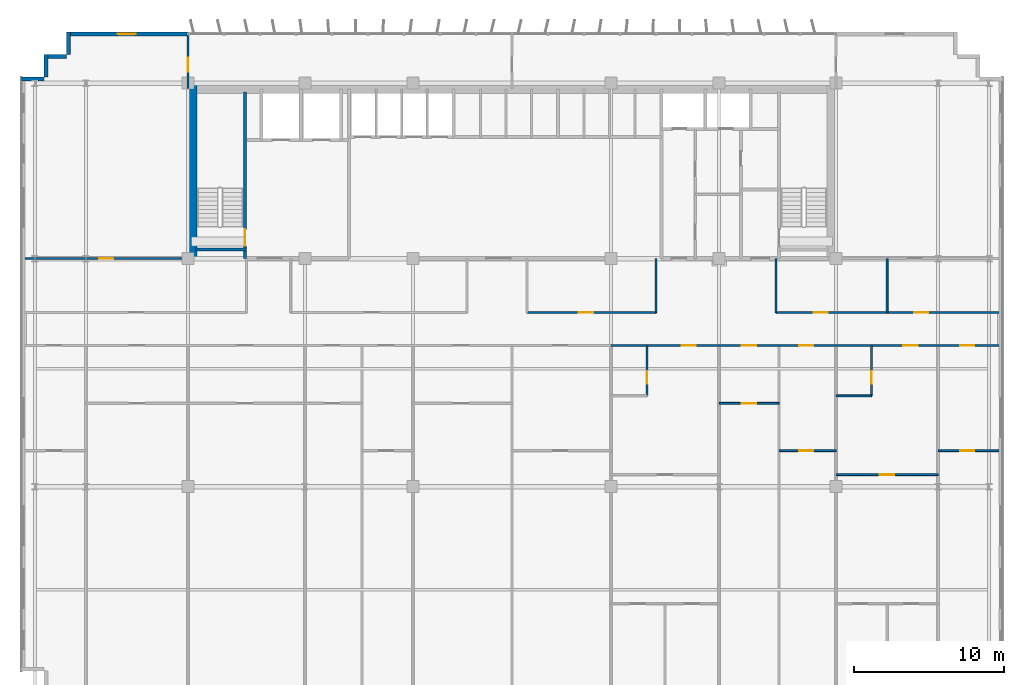
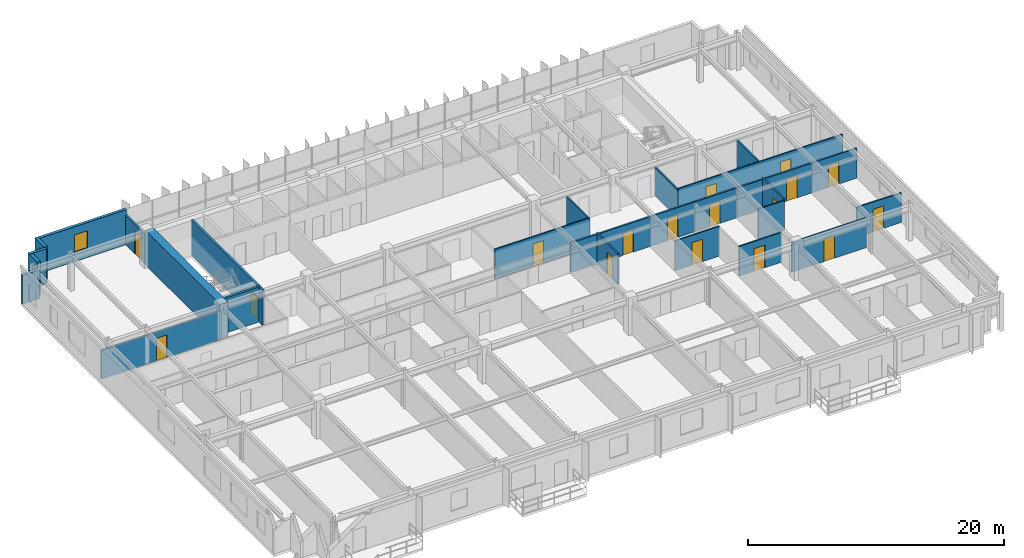
# One storey, part 16 of 21: 27 walls, 17 doors, 1 window, 18 openings.
"""IFC4 building model written with IfcOpenShell, lengths in metres."""

from ifc_helpers import new_model, si_unit, direction, frame, frame_2d, origin, place, context, subcontext, project, spatial, rectangle, extrude, source, transform, mapped, material, layer, layer_set, type_object, element, fill, save


model = new_model("IFC4")

# Units and contexts
model_context = context("Model", 3, precision=1e-05, world=origin(), true_north=direction((0.0, 1.0)))
body_context = subcontext(model_context, "Body", "Model", "MODEL_VIEW")
ifc_project = project(units=[si_unit("LENGTHUNIT", "METRE"), si_unit("AREAUNIT", "SQUARE_METRE"), si_unit("VOLUMEUNIT", "CUBIC_METRE"), si_unit("PLANEANGLEUNIT", "RADIAN"), si_unit("MASSUNIT", "GRAM", prefix="KILO")], contexts=[model_context])

# Site, building, storey
site_placement = place(None, origin())
site = spatial("IfcSite", under=ifc_project, at=site_placement, CompositionType="ELEMENT")
building_placement = place(site_placement, origin())
building = spatial("IfcBuilding", under=site, at=building_placement, Name="Trelvane Seafront Commons", CompositionType="ELEMENT")
storey_placement = place(building_placement, frame((0.0, 0.0, 103.300048828125)))
storey = spatial("IfcBuildingStorey", under=building, at=storey_placement, Name="L26", CompositionType="ELEMENT", Elevation=103.300048828125)

# Wall, opening, window
ifc_material_1 = material(Name="Precast concrete C40/50", Category="concrete")
ifc_layer_1 = layer(ifc_material_1, 0.260009765625, Name="ARCH-WALL-EXT260")
ifc_layer_set_1 = layer_set([ifc_layer_1], Name="Precast concrete C40/50")
wall_type_1 = type_object("IfcWallType", Name="ARCH-WALL-EXT260", PredefinedType="SOLIDWALL", material=ifc_layer_set_1)
wall_1_placement = place(storey_placement, frame((7.60009765625, 48.3701171875, 0.0), z_axis=(0.0, 0.0, 1.0), x_axis=(1.0, 0.0, 0.0)))
wall_1 = element("IfcWall", 1, at=wall_1_placement, inside=storey, type_object=wall_type_1, Name="EW-L26-NW-0475", PredefinedType="SOLIDWALL", context=body_context, shape_type="SweptSolid", body=[
    extrude(rectangle(XDim=8.0, YDim=0.260009765625, at=frame_2d((4.0, 0.0))), origin(), (0.0, 0.0, 1.0), 3.33984375),
])
opening_1_placement = place(wall_1_placement, frame((3.30810546875, 0.0, 0.89990234375)))
opening_1 = element("IfcOpeningElement", 2, at=opening_1_placement, cuts=wall_1, Name="Opening W05", PredefinedType="OPENING", context=body_context, shape_type="SweptSolid", body=[
    extrude(rectangle(XDim=1.199951171875, YDim=1.64990234375, at=frame_2d((0.60009765625, 0.824951171875))), frame((0.0, 0.139892578125, 0.0), z_axis=(0.0, -1.0, 0.0), x_axis=(1.0, 0.0, 0.0)), (0.0, 0.0, 1.0), 0.280029296875),
])
ifc_material_2 = material(Name="Low-E coastal double glazing", Category="glass")
window_type = type_object("IfcWindowType", Name="ARCH-WIN-W05", PartitioningType="SINGLE_PANEL", PredefinedType="WINDOW", material=ifc_material_2)
shared_shape_1 = source(origin(), body_context, "Body", "SweptSolid", [
    extrude(rectangle(XDim=1.199951171875, YDim=1.64990234375, at=frame_2d((0.60009765625, 0.824951171875))), frame((0.0, 0.030029296875, 0.0), z_axis=(0.0, -1.0, 0.0), x_axis=(1.0, 0.0, 0.0)), (0.0, 0.0, 1.0), 0.06005859375),
])
window_placement = place(opening_1_placement, origin())
window = element("IfcWindow", 3, at=window_placement, inside=storey, type_object=window_type, Name="WIN-L26-00560", OverallHeight=1.64990234375, OverallWidth=1.199951171875, PartitioningType="SINGLE_PANEL", PredefinedType="WINDOW", context=body_context, shape_type="MappedRepresentation", body=[
    mapped(shared_shape_1, transform((0.0, 0.0, 0.0), x_axis=(1.0, 0.0, 0.0), y_axis=(0.0, 1.0, 0.0), z_axis=(0.0, 0.0, 1.0), scale=1.0)),
])
fill(opening_1, window)

# Walls
wall_2_placement = place(storey_placement, frame((4.5, 45.3701171875, 0.0), z_axis=(0.0, 0.0, 1.0), x_axis=(1.0, 0.0, 0.0)))
element("IfcWall", 4, at=wall_2_placement, inside=storey, type_object=wall_type_1, Name="EW-L26-00481", PredefinedType="SOLIDWALL", context=body_context, shape_type="SweptSolid", body=[
    extrude(rectangle(XDim=1.5, YDim=0.260009765625, at=frame_2d((0.75, 0.0))), origin(), (0.0, 0.0, 1.0), 2.751953125),
])
for number, where, z_axis, x_axis, name in (
    (5, (6.1298828125, 45.5, 0.0), (0.0, 0.0, 1.0), (0.0, 1.0, 0.0), "EW-L26-00482"),
    (6, (6.0, 46.8701171875, 0.0), (0.0, 0.0, 1.0), (1.0, 0.0, 0.0), "EW-L26-00483"),
    (7, (7.6298828125, 47.0, 0.0), (0.0, 0.0, 1.0), (0.0, 1.0, 0.0), "EW-L26-00484"),
):
    element("IfcWall", number, at=place(storey_placement, frame(where, z_axis=z_axis, x_axis=x_axis)), inside=storey, type_object=wall_type_1, Name=name, PredefinedType="SOLIDWALL", context=body_context, shape_type="SweptSolid", body=[
        extrude(rectangle(XDim=1.5, YDim=0.260009765625, at=frame_2d((0.75, 0.0))), origin(), (0.0, 0.0, 1.0), 3.33984375),
    ])

# Wall, opening, door
ifc_material_3 = material(Name="Gypsum Drywall Acoustic Partition")
ifc_layer_2 = layer(ifc_material_3, 0.1201171875, Name="ARCH-WALL-PART120")
ifc_layer_set_2 = layer_set([ifc_layer_2], Name="Gypsum Drywall Acoustic Partition")
wall_type_2 = type_object("IfcWallType", Name="ARCH-WALL-PART120", PredefinedType="PARTITIONING", material=ifc_layer_set_2)
wall_3_placement = place(storey_placement, frame((38.199951171875, 29.800048828125, 0.0), z_axis=(0.0, 0.0, 1.0), x_axis=(1.0, 0.0, 0.0)))
wall_3 = element("IfcWall", 8, at=wall_3_placement, inside=storey, type_object=wall_type_2, Name="W-L26-CORR-N-M2-040", PredefinedType="PARTITIONING", context=body_context, shape_type="SweptSolid", body=[
    extrude(rectangle(XDim=8.60009765625, YDim=0.1201171875, at=frame_2d((4.300048828125, 0.0))), origin(), (0.0, 0.0, 1.0), 2.83984375),
])
opening_2_placement = place(wall_3_placement, frame((3.4619140625, 0.0, 0.0)))
opening_2 = element("IfcOpeningElement", 9, at=opening_2_placement, cuts=wall_3, Name="Opening D-L26-20", PredefinedType="OPENING", context=body_context, shape_type="SweptSolid", body=[
    extrude(rectangle(XDim=0.949951171875, YDim=2.14990234375, at=frame_2d((0.47509765625, 1.074951171875))), frame((0.0, 0.070068359375, 0.0), z_axis=(0.0, -1.0, 0.0), x_axis=(1.0, 0.0, 0.0)), (0.0, 0.0, 1.0), 0.14013671875),
])
ifc_material_4 = material(Name="Acoustic timber door leaf", Category="wood")
door_type_1 = type_object("IfcDoorType", Name="ARCH-DR-INT950", OperationType="NOTDEFINED", PredefinedType="DOOR", material=ifc_material_4)
shared_shape_2 = source(origin(), body_context, "Body", "SweptSolid", [
    extrude(rectangle(XDim=0.949951171875, YDim=2.14990234375, at=frame_2d((0.47509765625, 1.074951171875))), frame((0.0, 0.02490234375, 0.0), z_axis=(0.0, -1.0, 0.0), x_axis=(1.0, 0.0, 0.0)), (0.0, 0.0, 1.0), 0.050048828125),
])
door_1_placement = place(opening_2_placement, origin())
door_1 = element("IfcDoor", 10, at=door_1_placement, inside=storey, type_object=door_type_1, Name="L26 Door 20", OperationType="SINGLE_SWING_RIGHT", OverallHeight=2.14990234375, OverallWidth=0.949951171875, PredefinedType="DOOR", context=body_context, shape_type="MappedRepresentation", body=[
    mapped(shared_shape_2, transform((0.0, 0.0, 0.0), x_axis=(1.0, 0.0, 0.0), y_axis=(0.0, 1.0, 0.0), z_axis=(0.0, 0.0, 1.0), scale=1.0)),
])
fill(opening_2, door_1)

# Wall, openings, doors
wall_4_placement = place(storey_placement, frame((54.800048828125, 29.800048828125, 0.0), z_axis=(0.0, 0.0, 1.0), x_axis=(1.0, 0.0, 0.0)))
wall_4 = element("IfcWall", 11, at=wall_4_placement, inside=storey, type_object=wall_type_2, Name="W-L26-CORR-N-E-041", PredefinedType="PARTITIONING", context=body_context, shape_type="SweptSolid", body=[
    extrude(rectangle(XDim=14.849853515625, YDim=0.1201171875, at=frame_2d((7.4248046875, 0.0))), origin(), (0.0, 0.0, 1.0), 2.83984375),
])
opening_3_placement = place(wall_4_placement, frame((2.5, 0.0, 0.0)))
opening_3 = element("IfcOpeningElement", 12, at=opening_3_placement, cuts=wall_4, Name="Opening D-L26-21", PredefinedType="OPENING", context=body_context, shape_type="SweptSolid", body=[
    extrude(rectangle(XDim=0.949951171875, YDim=2.14990234375, at=frame_2d((0.47509765625, 1.074951171875))), frame((0.0, 0.070068359375, 0.0), z_axis=(0.0, -1.0, 0.0), x_axis=(1.0, 0.0, 0.0)), (0.0, 0.0, 1.0), 0.14013671875),
])
opening_4_placement = place(wall_4_placement, frame((9.199951171875, 0.0, 0.0)))
opening_4 = element("IfcOpeningElement", 13, at=opening_4_placement, cuts=wall_4, Name="Opening D-L26-22", PredefinedType="OPENING", context=body_context, shape_type="SweptSolid", body=[
    extrude(rectangle(XDim=0.949951171875, YDim=2.14990234375, at=frame_2d((0.47509765625, 1.074951171875))), frame((0.0, 0.070068359375, 0.0), z_axis=(0.0, -1.0, 0.0), x_axis=(1.0, 0.0, 0.0)), (0.0, 0.0, 1.0), 0.14013671875),
])
door_2_placement = place(opening_3_placement, origin())
door_2 = element("IfcDoor", 14, at=door_2_placement, inside=storey, type_object=door_type_1, Name="L26 Door 21", OperationType="SINGLE_SWING_LEFT", OverallHeight=2.14990234375, OverallWidth=0.949951171875, PredefinedType="DOOR", context=body_context, shape_type="MappedRepresentation", body=[
    mapped(shared_shape_2, transform((0.0, 0.0, 0.0), x_axis=(1.0, 0.0, 0.0), y_axis=(0.0, 1.0, 0.0), z_axis=(0.0, 0.0, 1.0), scale=1.0)),
])
fill(opening_3, door_2)
door_3_placement = place(opening_4_placement, origin())
door_3 = element("IfcDoor", 15, at=door_3_placement, inside=storey, type_object=door_type_1, Name="L26 Door 22", OperationType="SINGLE_SWING_RIGHT", OverallHeight=2.14990234375, OverallWidth=0.949951171875, PredefinedType="DOOR", context=body_context, shape_type="MappedRepresentation", body=[
    mapped(shared_shape_2, transform((0.0, 0.0, 0.0), x_axis=(1.0, 0.0, 0.0), y_axis=(0.0, 1.0, 0.0), z_axis=(0.0, 0.0, 1.0), scale=1.0)),
])
fill(opening_4, door_3)

# Walls
for number, where, z_axis, x_axis, name in (
    (16, (62.199951171875, 29.800048828125, 0.0), (0.0, 0.0, 1.0), (0.0, 1.0, 0.0), "W-L26-N-LAUN-DV-042"),
    (17, (46.800048828125, 29.800048828125, 0.0), (0.0, 0.0, 1.0), (0.0, 1.0, 0.0), "W-L26-N-SPUR-E1-047"),
    (18, (54.800048828125, 29.800048828125, 0.0), (0.0, 0.0, 1.0), (0.0, 1.0, 0.0), "W-L26-N-SPUR-E2-048"),
):
    element("IfcWall", number, at=place(storey_placement, frame(where, z_axis=z_axis, x_axis=x_axis)), inside=storey, type_object=wall_type_2, Name=name, PredefinedType="PARTITIONING", context=body_context, shape_type="SweptSolid", body=[
        extrude(rectangle(XDim=3.599853515625, YDim=0.1201171875, at=frame_2d((1.7998046875, 0.0))), origin(), (0.0, 0.0, 1.0), 2.751953125),
    ])

# Wall, opening, door
wall_5_placement = place(storey_placement, frame((46.199951171875, 24.25, 0.0), z_axis=(0.0, 0.0, 1.0), x_axis=(0.0, 1.0, 0.0)))
wall_5 = element("IfcWall", 19, at=wall_5_placement, inside=storey, type_object=wall_type_2, Name="W-L26-U8-BE-080", PredefinedType="PARTITIONING", context=body_context, shape_type="SweptSolid", body=[
    extrude(rectangle(XDim=3.35009765625, YDim=0.1201171875, at=frame_2d((1.675048828125, 0.0))), origin(), (0.0, 0.0, 1.0), 2.989990234375),
])
opening_5_placement = place(wall_5_placement, frame((0.800048828125, 0.0, 0.0)))
opening_5 = element("IfcOpeningElement", 20, at=opening_5_placement, cuts=wall_5, Name="Opening D-L26-43", PredefinedType="OPENING", context=body_context, shape_type="SweptSolid", body=[
    extrude(rectangle(XDim=0.85009765625, YDim=2.10009765625, at=frame_2d((0.425048828125, 1.050048828125))), frame((0.0, 0.070068359375, 0.0), z_axis=(0.0, -1.0, 0.0), x_axis=(1.0, 0.0, 0.0)), (0.0, 0.0, 1.0), 0.14013671875),
])
door_type_2 = type_object("IfcDoorType", Name="ARCH-DR-INT850", OperationType="NOTDEFINED", PredefinedType="DOOR", material=ifc_material_4)
shared_shape_3 = source(origin(), body_context, "Body", "SweptSolid", [
    extrude(rectangle(XDim=0.85009765625, YDim=2.10009765625, at=frame_2d((0.425048828125, 1.050048828125))), frame((0.0, 0.02490234375, 0.0), z_axis=(0.0, -1.0, 0.0), x_axis=(1.0, 0.0, 0.0)), (0.0, 0.0, 1.0), 0.050048828125),
])
door_4_placement = place(opening_5_placement, origin())
door_4 = element("IfcDoor", 21, at=door_4_placement, inside=storey, type_object=door_type_2, Name="L26 Door 43", OperationType="SINGLE_SWING_LEFT", OverallHeight=2.10009765625, OverallWidth=0.85009765625, PredefinedType="DOOR", context=body_context, shape_type="MappedRepresentation", body=[
    mapped(shared_shape_3, transform((0.0, 0.0, 0.0), x_axis=(1.0, 0.0, 0.0), y_axis=(0.0, 1.0, 0.0), z_axis=(0.0, 0.0, 1.0), scale=1.0)),
])
fill(opening_5, door_4)

wall_6_placement = place(storey_placement, frame((51.0, 23.75, 0.0), z_axis=(0.0, 0.0, 1.0), x_axis=(1.0, 0.0, 0.0)))
wall_6 = element("IfcWall", 22, at=wall_6_placement, inside=storey, type_object=wall_type_2, Name="W-L26-U9-DIV-087", PredefinedType="PARTITIONING", context=body_context, shape_type="SweptSolid", body=[
    extrude(rectangle(XDim=4.0, YDim=0.1201171875, at=frame_2d((2.0, 0.0))), origin(), (0.0, 0.0, 1.0), 2.83984375),
])
opening_6_placement = place(wall_6_placement, frame((1.52490234375, 0.0, 0.0)))
opening_6 = element("IfcOpeningElement", 23, at=opening_6_placement, cuts=wall_6, Name="Opening D-L26-48", PredefinedType="OPENING", context=body_context, shape_type="SweptSolid", body=[
    extrude(rectangle(XDim=0.949951171875, YDim=2.14990234375, at=frame_2d((0.47509765625, 1.074951171875))), frame((0.0, 0.070068359375, 0.0), z_axis=(0.0, -1.0, 0.0), x_axis=(1.0, 0.0, 0.0)), (0.0, 0.0, 1.0), 0.14013671875),
])
door_5_placement = place(opening_6_placement, origin())
door_5 = element("IfcDoor", 24, at=door_5_placement, inside=storey, type_object=door_type_1, Name="L26 Door 48", OperationType="SINGLE_SWING_RIGHT", OverallHeight=2.14990234375, OverallWidth=0.949951171875, PredefinedType="DOOR", context=body_context, shape_type="MappedRepresentation", body=[
    mapped(shared_shape_2, transform((0.0, 0.0, 0.0), x_axis=(1.0, 0.0, 0.0), y_axis=(0.0, 1.0, 0.0), z_axis=(0.0, 0.0, 1.0), scale=1.0)),
])
fill(opening_6, door_5)

wall_7_placement = place(storey_placement, frame((55.0, 20.60009765625, 0.0), z_axis=(0.0, 0.0, 1.0), x_axis=(1.0, 0.0, 0.0)))
wall_7 = element("IfcWall", 25, at=wall_7_placement, inside=storey, type_object=wall_type_2, Name="W-L26-U10-DIV-089", PredefinedType="PARTITIONING", context=body_context, shape_type="SweptSolid", body=[
    extrude(rectangle(XDim=3.800048828125, YDim=0.1201171875, at=frame_2d((1.89990234375, 0.0))), origin(), (0.0, 0.0, 1.0), 2.83984375),
])
opening_7_placement = place(wall_7_placement, frame((1.330078125, 0.0, 0.0)))
opening_7 = element("IfcOpeningElement", 26, at=opening_7_placement, cuts=wall_7, Name="Opening D-L26-50", PredefinedType="OPENING", context=body_context, shape_type="SweptSolid", body=[
    extrude(rectangle(XDim=0.949951171875, YDim=2.14990234375, at=frame_2d((0.47509765625, 1.074951171875))), frame((0.0, 0.070068359375, 0.0), z_axis=(0.0, -1.0, 0.0), x_axis=(1.0, 0.0, 0.0)), (0.0, 0.0, 1.0), 0.14013671875),
])
door_6_placement = place(opening_7_placement, origin())
door_6 = element("IfcDoor", 27, at=door_6_placement, inside=storey, type_object=door_type_1, Name="L26 Door 50", OperationType="SINGLE_SWING_RIGHT", OverallHeight=2.14990234375, OverallWidth=0.949951171875, PredefinedType="DOOR", context=body_context, shape_type="MappedRepresentation", body=[
    mapped(shared_shape_2, transform((0.0, 0.0, 0.0), x_axis=(1.0, 0.0, 0.0), y_axis=(0.0, 1.0, 0.0), z_axis=(0.0, 0.0, 1.0), scale=1.0)),
])
fill(opening_7, door_6)

wall_8_placement = place(storey_placement, frame((58.800048828125, 19.0, 0.0), z_axis=(0.0, 0.0, 1.0), x_axis=(1.0, 0.0, 0.0)))
wall_8 = element("IfcWall", 28, at=wall_8_placement, inside=storey, type_object=wall_type_2, Name="W-L26-U11-KL-090", PredefinedType="PARTITIONING", context=body_context, shape_type="SweptSolid", body=[
    extrude(rectangle(XDim=6.800048828125, YDim=0.1201171875, at=frame_2d((3.39990234375, 0.0))), origin(), (0.0, 0.0, 1.0), 2.83984375),
])
opening_8_placement = place(wall_8_placement, frame((2.925048828125, 0.0, 0.0)))
opening_8 = element("IfcOpeningElement", 29, at=opening_8_placement, cuts=wall_8, Name="Opening D-L26-51", PredefinedType="OPENING", context=body_context, shape_type="SweptSolid", body=[
    extrude(rectangle(XDim=0.949951171875, YDim=2.14990234375, at=frame_2d((0.47509765625, 1.074951171875))), frame((0.0, 0.070068359375, 0.0), z_axis=(0.0, -1.0, 0.0), x_axis=(1.0, 0.0, 0.0)), (0.0, 0.0, 1.0), 0.14013671875),
])
door_7_placement = place(opening_8_placement, origin())
door_7 = element("IfcDoor", 30, at=door_7_placement, inside=storey, type_object=door_type_1, Name="L26 Door 51", OperationType="SINGLE_SWING_LEFT", OverallHeight=2.14990234375, OverallWidth=0.949951171875, PredefinedType="DOOR", context=body_context, shape_type="MappedRepresentation", body=[
    mapped(shared_shape_2, transform((0.0, 0.0, 0.0), x_axis=(1.0, 0.0, 0.0), y_axis=(0.0, 1.0, 0.0), z_axis=(0.0, 0.0, 1.0), scale=1.0)),
])
fill(opening_8, door_7)

wall_9_placement = place(storey_placement, frame((61.162109375, 24.25, 0.0), z_axis=(0.0, 0.0, 1.0), x_axis=(0.0, 1.0, 0.0)))
wall_9 = element("IfcWall", 31, at=wall_9_placement, inside=storey, type_object=wall_type_2, Name="W-L26-U11-BE-091", PredefinedType="PARTITIONING", context=body_context, shape_type="SweptSolid", body=[
    extrude(rectangle(XDim=3.35009765625, YDim=0.1201171875, at=frame_2d((1.675048828125, 0.0))), origin(), (0.0, 0.0, 1.0), 2.989990234375),
])
opening_9_placement = place(wall_9_placement, frame((0.800048828125, 0.0, 0.0)))
opening_9 = element("IfcOpeningElement", 32, at=opening_9_placement, cuts=wall_9, Name="Opening D-L26-52", PredefinedType="OPENING", context=body_context, shape_type="SweptSolid", body=[
    extrude(rectangle(XDim=0.85009765625, YDim=2.10009765625, at=frame_2d((0.425048828125, 1.050048828125))), frame((0.0, 0.070068359375, 0.0), z_axis=(0.0, -1.0, 0.0), x_axis=(1.0, 0.0, 0.0)), (0.0, 0.0, 1.0), 0.14013671875),
])
door_8_placement = place(opening_9_placement, origin())
door_8 = element("IfcDoor", 33, at=door_8_placement, inside=storey, type_object=door_type_2, Name="L26 Door 52", OperationType="SINGLE_SWING_RIGHT", OverallHeight=2.10009765625, OverallWidth=0.85009765625, PredefinedType="DOOR", context=body_context, shape_type="MappedRepresentation", body=[
    mapped(shared_shape_3, transform((0.0, 0.0, 0.0), x_axis=(1.0, 0.0, 0.0), y_axis=(0.0, 1.0, 0.0), z_axis=(0.0, 0.0, 1.0), scale=1.0)),
])
fill(opening_9, door_8)

# Wall
wall_10_placement = place(storey_placement, frame((58.800048828125, 24.25, 0.0), z_axis=(0.0, 0.0, 1.0), x_axis=(1.0, 0.0, 0.0)))
element("IfcWall", 34, at=wall_10_placement, inside=storey, type_object=wall_type_2, Name="W-L26-U11-BS-092", PredefinedType="PARTITIONING", context=body_context, shape_type="SweptSolid", body=[
    extrude(rectangle(XDim=2.362060546875, YDim=0.1201171875, at=frame_2d((1.18115234375, 0.0))), origin(), (0.0, 0.0, 1.0), 2.83984375),
])

# Wall, opening, door
wall_11_placement = place(storey_placement, frame((65.60009765625, 20.60009765625, 0.0), z_axis=(0.0, 0.0, 1.0), x_axis=(1.0, 0.0, 0.0)))
wall_11 = element("IfcWall", 35, at=wall_11_placement, inside=storey, type_object=wall_type_2, Name="W-L26-U12-DIV-098", PredefinedType="PARTITIONING", context=body_context, shape_type="SweptSolid", body=[
    extrude(rectangle(XDim=4.054931640625, YDim=0.1201171875, at=frame_2d((2.02734375, 0.0))), origin(), (0.0, 0.0, 1.0), 2.83984375),
])
opening_10_placement = place(wall_11_placement, frame((1.4619140625, 0.0, 0.0)))
opening_10 = element("IfcOpeningElement", 36, at=opening_10_placement, cuts=wall_11, Name="Opening D-L26-57", PredefinedType="OPENING", context=body_context, shape_type="SweptSolid", body=[
    extrude(rectangle(XDim=0.949951171875, YDim=2.14990234375, at=frame_2d((0.47509765625, 1.074951171875))), frame((0.0, 0.070068359375, 0.0), z_axis=(0.0, -1.0, 0.0), x_axis=(1.0, 0.0, 0.0)), (0.0, 0.0, 1.0), 0.14013671875),
])
door_9_placement = place(opening_10_placement, origin())
door_9 = element("IfcDoor", 37, at=door_9_placement, inside=storey, type_object=door_type_1, Name="L26 Door 57", OperationType="SINGLE_SWING_LEFT", OverallHeight=2.14990234375, OverallWidth=0.949951171875, PredefinedType="DOOR", context=body_context, shape_type="MappedRepresentation", body=[
    mapped(shared_shape_2, transform((0.0, 0.0, 0.0), x_axis=(1.0, 0.0, 0.0), y_axis=(0.0, 1.0, 0.0), z_axis=(0.0, 0.0, 1.0), scale=1.0)),
])
fill(opening_10, door_9)

ifc_layer_3 = layer(ifc_material_3, 0.14990234375, Name="ARCH-WALL-PART150")
ifc_layer_set_3 = layer_set([ifc_layer_3], Name="Gypsum Drywall Acoustic Partition")
wall_type_3 = type_object("IfcWallType", Name="ARCH-WALL-PART150", PredefinedType="PARTITIONING", material=ifc_layer_set_3)
wall_12_placement = place(storey_placement, frame((4.75, 33.39990234375, 0.0), z_axis=(0.0, 0.0, 1.0), x_axis=(1.0, 0.0, 0.0)))
wall_12 = element("IfcWall", 38, at=wall_12_placement, inside=storey, type_object=wall_type_3, Name="W-L26-NW-ENT-049", PredefinedType="PARTITIONING", context=body_context, shape_type="SweptSolid", body=[
    extrude(rectangle(XDim=10.85009765625, YDim=0.14990234375, at=frame_2d((5.425048828125, 0.0))), origin(), (0.0, 0.0, 1.0), 2.751953125),
])
opening_11_placement = place(wall_12_placement, frame((4.93994140625, 0.0, 0.0)))
opening_11 = element("IfcOpeningElement", 39, at=opening_11_placement, cuts=wall_12, Name="Opening FD-L26-23", PredefinedType="OPENING", context=body_context, shape_type="SweptSolid", body=[
    extrude(rectangle(XDim=0.949951171875, YDim=2.14990234375, at=frame_2d((0.47509765625, 1.074951171875))), frame((0.0, 0.0849609375, 0.0), z_axis=(0.0, -1.0, 0.0), x_axis=(1.0, 0.0, 0.0)), (0.0, 0.0, 1.0), 0.169921875),
])
ifc_material_5 = material(Name="Powder-coated aluminium frame", Category="aluminium")
door_type_3 = type_object("IfcDoorType", Name="ARCH-DR-FD60-950", OperationType="NOTDEFINED", PredefinedType="DOOR", material=ifc_material_5)
door_10_placement = place(opening_11_placement, origin())
door_10 = element("IfcDoor", 40, at=door_10_placement, inside=storey, type_object=door_type_3, Name="L26 NW Suite Entrance Door", OperationType="SINGLE_SWING_LEFT", OverallHeight=2.14990234375, OverallWidth=0.949951171875, PredefinedType="DOOR", context=body_context, shape_type="MappedRepresentation", body=[
    mapped(shared_shape_2, transform((0.0, 0.0, 0.0), x_axis=(1.0, 0.0, 0.0), y_axis=(0.0, 1.0, 0.0), z_axis=(0.0, 0.0, 1.0), scale=1.0)),
])
fill(opening_11, door_10)

wall_13_placement = place(storey_placement, frame((15.60009765625, 44.75, 0.0), z_axis=(0.0, 0.0, 1.0), x_axis=(0.0, 1.0, 0.0)))
wall_13 = element("IfcWall", 41, at=wall_13_placement, inside=storey, type_object=wall_type_3, Name="W-L26-N-LINK-W-052", PredefinedType="PARTITIONING", context=body_context, shape_type="SweptSolid", body=[
    extrude(rectangle(XDim=3.610107421875, YDim=0.14990234375, at=frame_2d((1.80517578125, 0.0))), origin(), (0.0, 0.0, 1.0), 2.83984375),
])
opening_12_placement = place(wall_13_placement, frame((1.10009765625, 0.0, 0.0)))
opening_12 = element("IfcOpeningElement", 42, at=opening_12_placement, cuts=wall_13, Name="Opening FD-L26-26", PredefinedType="OPENING", context=body_context, shape_type="SweptSolid", body=[
    extrude(rectangle(XDim=0.949951171875, YDim=2.14990234375, at=frame_2d((0.47509765625, 1.074951171875))), frame((0.0, 0.0849609375, 0.0), z_axis=(0.0, -1.0, 0.0), x_axis=(1.0, 0.0, 0.0)), (0.0, 0.0, 1.0), 0.169921875),
])
door_11_placement = place(opening_12_placement, origin())
door_11 = element("IfcDoor", 43, at=door_11_placement, inside=storey, type_object=door_type_3, Name="L26 Door 26", OperationType="SINGLE_SWING_RIGHT", OverallHeight=2.14990234375, OverallWidth=0.949951171875, PredefinedType="DOOR", context=body_context, shape_type="MappedRepresentation", body=[
    mapped(shared_shape_2, transform((0.0, 0.0, 0.0), x_axis=(1.0, 0.0, 0.0), y_axis=(0.0, 1.0, 0.0), z_axis=(0.0, 0.0, 1.0), scale=1.0)),
])
fill(opening_12, door_11)

wall_14_placement = place(storey_placement, frame((43.800048828125, 27.60009765625, 0.0), z_axis=(0.0, 0.0, 1.0), x_axis=(1.0, 0.0, 0.0)))
wall_14 = element("IfcWall", 44, at=wall_14_placement, inside=storey, type_object=wall_type_3, Name="W-L26-CS-BAY-8-082", PredefinedType="PARTITIONING", context=body_context, shape_type="SweptSolid", body=[
    extrude(rectangle(XDim=7.199951171875, YDim=0.14990234375, at=frame_2d((3.60009765625, 0.0))), origin(), (0.0, 0.0, 1.0), 2.83984375),
])
opening_13_placement = place(wall_14_placement, frame((4.7060546875, 0.0, 0.0)))
opening_13 = element("IfcOpeningElement", 45, at=opening_13_placement, cuts=wall_14, Name="Opening FD-L26-44", PredefinedType="OPENING", context=body_context, shape_type="SweptSolid", body=[
    extrude(rectangle(XDim=0.949951171875, YDim=2.14990234375, at=frame_2d((0.47509765625, 1.074951171875))), frame((0.0, 0.0849609375, 0.0), z_axis=(0.0, -1.0, 0.0), x_axis=(1.0, 0.0, 0.0)), (0.0, 0.0, 1.0), 0.169921875),
])
door_12_placement = place(opening_13_placement, origin())
door_12 = element("IfcDoor", 46, at=door_12_placement, inside=storey, type_object=door_type_3, Name="L26 Unit 08 Entrance Door", OperationType="SINGLE_SWING_RIGHT", OverallHeight=2.14990234375, OverallWidth=0.949951171875, PredefinedType="DOOR", context=body_context, shape_type="MappedRepresentation", body=[
    mapped(shared_shape_2, transform((0.0, 0.0, 0.0), x_axis=(1.0, 0.0, 0.0), y_axis=(0.0, 1.0, 0.0), z_axis=(0.0, 0.0, 1.0), scale=1.0)),
])
fill(opening_13, door_12)

wall_15_placement = place(storey_placement, frame((51.0, 27.60009765625, 0.0), z_axis=(0.0, 0.0, 1.0), x_axis=(1.0, 0.0, 0.0)))
wall_15 = element("IfcWall", 47, at=wall_15_placement, inside=storey, type_object=wall_type_3, Name="W-L26-CS-BAY-9-086", PredefinedType="PARTITIONING", context=body_context, shape_type="SweptSolid", body=[
    extrude(rectangle(XDim=4.0, YDim=0.14990234375, at=frame_2d((2.0, 0.0))), origin(), (0.0, 0.0, 1.0), 2.83984375),
])
opening_14_placement = place(wall_15_placement, frame((1.52490234375, 0.0, 0.0)))
opening_14 = element("IfcOpeningElement", 48, at=opening_14_placement, cuts=wall_15, Name="Opening FD-L26-47", PredefinedType="OPENING", context=body_context, shape_type="SweptSolid", body=[
    extrude(rectangle(XDim=0.949951171875, YDim=2.14990234375, at=frame_2d((0.47509765625, 1.074951171875))), frame((0.0, 0.0849609375, 0.0), z_axis=(0.0, -1.0, 0.0), x_axis=(1.0, 0.0, 0.0)), (0.0, 0.0, 1.0), 0.169921875),
])
door_13_placement = place(opening_14_placement, origin())
door_13 = element("IfcDoor", 49, at=door_13_placement, inside=storey, type_object=door_type_3, Name="L26 Bay 09 Entrance Door", OperationType="SINGLE_SWING_LEFT", OverallHeight=2.14990234375, OverallWidth=0.949951171875, PredefinedType="DOOR", context=body_context, shape_type="MappedRepresentation", body=[
    mapped(shared_shape_2, transform((0.0, 0.0, 0.0), x_axis=(1.0, 0.0, 0.0), y_axis=(0.0, 1.0, 0.0), z_axis=(0.0, 0.0, 1.0), scale=1.0)),
])
fill(opening_14, door_13)

wall_16_placement = place(storey_placement, frame((55.0, 27.60009765625, 0.0), z_axis=(0.0, 0.0, 1.0), x_axis=(1.0, 0.0, 0.0)))
wall_16 = element("IfcWall", 50, at=wall_16_placement, inside=storey, type_object=wall_type_3, Name="W-L26-CS-BAY-10-088", PredefinedType="PARTITIONING", context=body_context, shape_type="SweptSolid", body=[
    extrude(rectangle(XDim=3.800048828125, YDim=0.14990234375, at=frame_2d((1.89990234375, 0.0))), origin(), (0.0, 0.0, 1.0), 2.83984375),
])
opening_15_placement = place(wall_16_placement, frame((1.330078125, 0.0, 0.0)))
opening_15 = element("IfcOpeningElement", 51, at=opening_15_placement, cuts=wall_16, Name="Opening FD-L26-49", PredefinedType="OPENING", context=body_context, shape_type="SweptSolid", body=[
    extrude(rectangle(XDim=0.949951171875, YDim=2.14990234375, at=frame_2d((0.47509765625, 1.074951171875))), frame((0.0, 0.0849609375, 0.0), z_axis=(0.0, -1.0, 0.0), x_axis=(1.0, 0.0, 0.0)), (0.0, 0.0, 1.0), 0.169921875),
])
door_14_placement = place(opening_15_placement, origin())
door_14 = element("IfcDoor", 52, at=door_14_placement, inside=storey, type_object=door_type_3, Name="L26 Bay 10 Entrance Door", OperationType="SINGLE_SWING_LEFT", OverallHeight=2.14990234375, OverallWidth=0.949951171875, PredefinedType="DOOR", context=body_context, shape_type="MappedRepresentation", body=[
    mapped(shared_shape_2, transform((0.0, 0.0, 0.0), x_axis=(1.0, 0.0, 0.0), y_axis=(0.0, 1.0, 0.0), z_axis=(0.0, 0.0, 1.0), scale=1.0)),
])
fill(opening_15, door_14)

wall_17_placement = place(storey_placement, frame((58.800048828125, 27.60009765625, 0.0), z_axis=(0.0, 0.0, 1.0), x_axis=(1.0, 0.0, 0.0)))
wall_17 = element("IfcWall", 53, at=wall_17_placement, inside=storey, type_object=wall_type_3, Name="W-L26-CS-BAY-11-093", PredefinedType="PARTITIONING", context=body_context, shape_type="SweptSolid", body=[
    extrude(rectangle(XDim=6.800048828125, YDim=0.14990234375, at=frame_2d((3.39990234375, 0.0))), origin(), (0.0, 0.0, 1.0), 2.83984375),
])
opening_16_placement = place(wall_17_placement, frame((4.489990234375, 0.0, 0.0)))
opening_16 = element("IfcOpeningElement", 54, at=opening_16_placement, cuts=wall_17, Name="Opening FD-L26-53", PredefinedType="OPENING", context=body_context, shape_type="SweptSolid", body=[
    extrude(rectangle(XDim=0.949951171875, YDim=2.14990234375, at=frame_2d((0.47509765625, 1.074951171875))), frame((0.0, 0.0849609375, 0.0), z_axis=(0.0, -1.0, 0.0), x_axis=(1.0, 0.0, 0.0)), (0.0, 0.0, 1.0), 0.169921875),
])
door_15_placement = place(opening_16_placement, origin())
door_15 = element("IfcDoor", 55, at=door_15_placement, inside=storey, type_object=door_type_3, Name="L26 Unit 11 Entrance Door", OperationType="SINGLE_SWING_LEFT", OverallHeight=2.14990234375, OverallWidth=0.949951171875, PredefinedType="DOOR", context=body_context, shape_type="MappedRepresentation", body=[
    mapped(shared_shape_2, transform((0.0, 0.0, 0.0), x_axis=(1.0, 0.0, 0.0), y_axis=(0.0, 1.0, 0.0), z_axis=(0.0, 0.0, 1.0), scale=1.0)),
])
fill(opening_16, door_15)

wall_18_placement = place(storey_placement, frame((65.60009765625, 27.60009765625, 0.0), z_axis=(0.0, 0.0, 1.0), x_axis=(1.0, 0.0, 0.0)))
wall_18 = element("IfcWall", 56, at=wall_18_placement, inside=storey, type_object=wall_type_3, Name="W-L26-CS-BAY-12-097", PredefinedType="PARTITIONING", context=body_context, shape_type="SweptSolid", body=[
    extrude(rectangle(XDim=4.054931640625, YDim=0.14990234375, at=frame_2d((2.02734375, 0.0))), origin(), (0.0, 0.0, 1.0), 2.83984375),
])
opening_17_placement = place(wall_18_placement, frame((1.4619140625, 0.0, 0.0)))
opening_17 = element("IfcOpeningElement", 57, at=opening_17_placement, cuts=wall_18, Name="Opening FD-L26-56", PredefinedType="OPENING", context=body_context, shape_type="SweptSolid", body=[
    extrude(rectangle(XDim=0.949951171875, YDim=2.14990234375, at=frame_2d((0.47509765625, 1.074951171875))), frame((0.0, 0.0849609375, 0.0), z_axis=(0.0, -1.0, 0.0), x_axis=(1.0, 0.0, 0.0)), (0.0, 0.0, 1.0), 0.169921875),
])
door_16_placement = place(opening_17_placement, origin())
door_16 = element("IfcDoor", 58, at=door_16_placement, inside=storey, type_object=door_type_3, Name="L26 Bay 12 Entrance Door", OperationType="SINGLE_SWING_RIGHT", OverallHeight=2.14990234375, OverallWidth=0.949951171875, PredefinedType="DOOR", context=body_context, shape_type="MappedRepresentation", body=[
    mapped(shared_shape_2, transform((0.0, 0.0, 0.0), x_axis=(1.0, 0.0, 0.0), y_axis=(0.0, 1.0, 0.0), z_axis=(0.0, 0.0, 1.0), scale=1.0)),
])
fill(opening_17, door_16)

# Walls
ifc_material_6 = material(Name="Concrete C60/75", Category="concrete")
ifc_layer_4 = layer(ifc_material_6, 0.699951171875, Name="STR-WALL-CORE700")
ifc_layer_set_4 = layer_set([ifc_layer_4], Name="Concrete C60/75")
wall_type_4 = type_object("IfcWallType", Name="STR-WALL-CORE700", PredefinedType="SHEAR", material=ifc_layer_set_4)
wall_19_placement = place(storey_placement, frame((15.85009765625, 33.39990234375, 0.0), z_axis=(0.0, 0.0, 1.0), x_axis=(0.0, 1.0, 0.0)))
element("IfcWall", 59, at=wall_19_placement, inside=storey, type_object=wall_type_4, Name="W-L26-CW-END-002", PredefinedType="SHEAR", context=body_context, shape_type="SweptSolid", body=[
    extrude(rectangle(XDim=11.7001953125, YDim=0.699951171875, at=frame_2d((5.85009765625, 0.0))), origin(), (0.0, 0.0, 1.0), 3.33984375),
])
ifc_material_7 = material(Name="Concrete C50/60", Category="concrete")
ifc_layer_5 = layer(ifc_material_7, 0.199951171875, Name="STR-WALL-STAIR200")
ifc_layer_set_5 = layer_set([ifc_layer_5], Name="Concrete C50/60")
wall_type_5 = type_object("IfcWallType", Name="STR-WALL-STAIR200", PredefinedType="SHEAR", material=ifc_layer_set_5)
wall_20_placement = place(storey_placement, frame((16.10009765625, 34.0, 0.0), z_axis=(0.0, 0.0, 1.0), x_axis=(1.0, 0.0, 0.0)))
element("IfcWall", 60, at=wall_20_placement, inside=storey, type_object=wall_type_5, Name="W-L26-ST1-S-004", PredefinedType="SHEAR", context=body_context, shape_type="SweptSolid", body=[
    extrude(rectangle(XDim=3.39990234375, YDim=0.199951171875, at=frame_2d((1.699951171875, 0.0))), origin(), (0.0, 0.0, 1.0), 3.33984375),
])

# Wall, opening, door
wall_21_placement = place(storey_placement, frame((19.39990234375, 33.39990234375, 0.0), z_axis=(0.0, 0.0, 1.0), x_axis=(0.0, 1.0, 0.0)))
wall_21 = element("IfcWall", 61, at=wall_21_placement, inside=storey, type_object=wall_type_5, Name="W-L26-ST1-E-005", PredefinedType="SHEAR", context=body_context, shape_type="SweptSolid", body=[
    extrude(rectangle(XDim=11.10009765625, YDim=0.199951171875, at=frame_2d((5.550048828125, 0.0))), origin(), (0.0, 0.0, 1.0), 3.33984375),
])
opening_18_placement = place(wall_21_placement, frame((0.85009765625, 0.0, 0.0)))
opening_18 = element("IfcOpeningElement", 62, at=opening_18_placement, cuts=wall_21, Name="Opening ST-D1-L26", PredefinedType="OPENING", context=body_context, shape_type="SweptSolid", body=[
    extrude(rectangle(XDim=1.10009765625, YDim=2.14990234375, at=frame_2d((0.550048828125, 1.074951171875))), frame((0.0, 0.10986328125, 0.0), z_axis=(0.0, -1.0, 0.0), x_axis=(1.0, 0.0, 0.0)), (0.0, 0.0, 1.0), 0.219970703125),
])
door_type_4 = type_object("IfcDoorType", Name="ARCH-DR-FD90-1100", OperationType="NOTDEFINED", PredefinedType="DOOR", material=ifc_material_5)
shared_shape_4 = source(origin(), body_context, "Body", "SweptSolid", [
    extrude(rectangle(XDim=1.10009765625, YDim=2.14990234375, at=frame_2d((0.550048828125, 1.074951171875))), frame((0.0, 0.02490234375, 0.0), z_axis=(0.0, -1.0, 0.0), x_axis=(1.0, 0.0, 0.0)), (0.0, 0.0, 1.0), 0.050048828125),
])
door_17_placement = place(opening_18_placement, origin())
door_17 = element("IfcDoor", 63, at=door_17_placement, inside=storey, type_object=door_type_4, Name="L26 Stair ST-1 Lobby Fire Door", OperationType="SINGLE_SWING_LEFT", OverallHeight=2.14990234375, OverallWidth=1.10009765625, PredefinedType="DOOR", context=body_context, shape_type="MappedRepresentation", body=[
    mapped(shared_shape_4, transform((0.0, 0.0, 0.0), x_axis=(1.0, 0.0, 0.0), y_axis=(0.0, 1.0, 0.0), z_axis=(0.0, 0.0, 1.0), scale=1.0)),
])
fill(opening_18, door_17)

save(model, "model.ifc")
